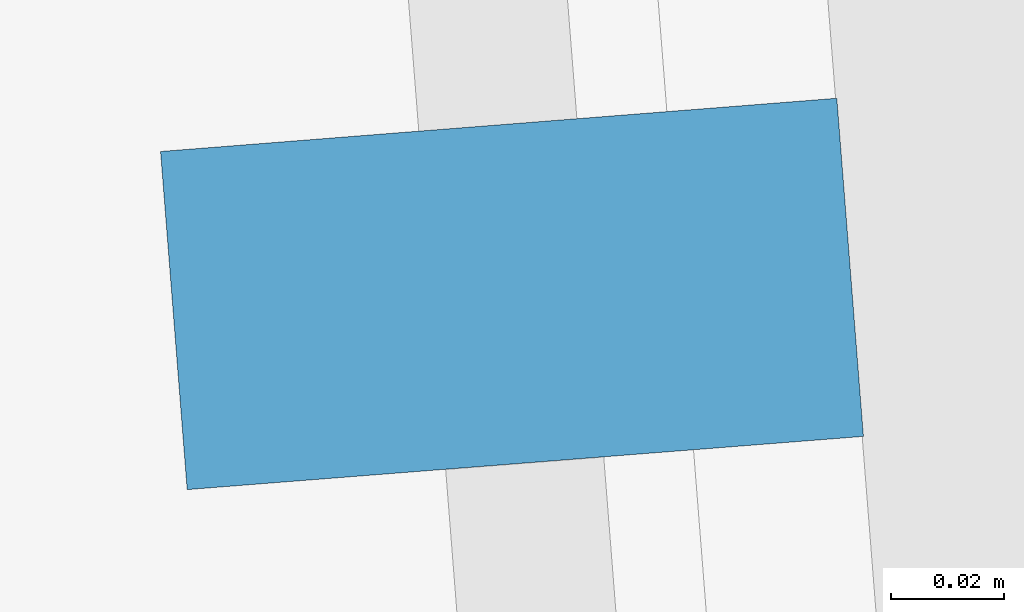
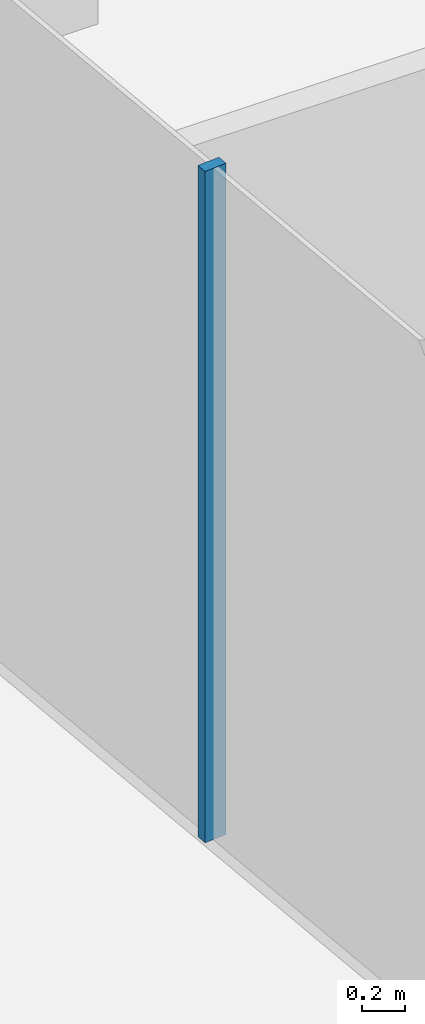
# One storey, part 11 of 23: 1 member, 1 element without a shape of its own.
"""IFC4 building model written with IfcOpenShell, lengths in metres."""

from ifc_helpers import new_model, si_unit, direction, frame, origin, origin_2d, place, context, subcontext, project, spatial, rectangle, extrude, material, layer, layer_set, material_profile, profile_set, type_object, element, aggregate, save


model = new_model("IFC4")

# Units and contexts
model_context = context("Model", 3, precision=1e-05, world=origin(), true_north=direction((0.0, 1.0)))
body_context = subcontext(model_context, "Body", "Model", "MODEL_VIEW")
ifc_project = project(units=[si_unit("LENGTHUNIT", "METRE"), si_unit("AREAUNIT", "SQUARE_METRE"), si_unit("VOLUMEUNIT", "CUBIC_METRE"), si_unit("PLANEANGLEUNIT", "RADIAN"), si_unit("MASSUNIT", "GRAM", prefix="KILO")], contexts=[model_context])

# Site, building, storey
site_placement = place(None, origin())
site = spatial("IfcSite", under=ifc_project, at=site_placement, CompositionType="ELEMENT")
building_placement = place(site_placement, origin())
building = spatial("IfcBuilding", under=site, at=building_placement, Name="Welwitschia Terrace Campus", CompositionType="ELEMENT")
storey_placement = place(building_placement, frame((0.0, 0.0, 188.60009765625)))
storey = spatial("IfcBuildingStorey", under=building, at=storey_placement, Name="L42", CompositionType="ELEMENT", Elevation=188.60009765625)

# Curtain wall, member
ifc_material_1 = material(Name="Bronze anodised aluminium", Category="aluminium")
ifc_layer = layer(ifc_material_1, 0.1201171875)
ifc_layer_set = layer_set([ifc_layer], Name="Bronze anodised aluminium")
curtain_wall_type = type_object("IfcCurtainWallType", Name="Curtain wall CW2 tower 6000", PredefinedType="NOTDEFINED", material=ifc_layer_set)
curtain_wall_placement = place(storey_placement, origin())
curtain_wall = element("IfcCurtainWall", 1, at=curtain_wall_placement, inside=storey, type_object=curtain_wall_type, Name="CW L42.0.0", PredefinedType="NOTDEFINED")
ifc_material_2 = material(Name="Bronze anodised aluminium", Category="aluminium")
ifc_material_profile = material_profile(ifc_material_2, rectangle(XDim=0.1201171875, YDim=0.06005859375, at=origin_2d()))
ifc_profile_set = profile_set([ifc_material_profile], Name="Bronze anodised aluminium")
member_type = type_object("IfcMemberType", Name="Mullion 60x120", PredefinedType="MULLION", material=ifc_profile_set)
member_placement = place(storey_placement, frame((-2.435302734375, 43.55029296875, 0.0), z_axis=(0.0, 0.0, 1.0), x_axis=(0.996917333733, 0.078459095728, 0.0)))
member = element("IfcMember", 2, at=member_placement, type_object=member_type, Name="Mullion L42.0.0.3", PredefinedType="MULLION", context=body_context, shape_type="SweptSolid", body=[
    extrude(rectangle(XDim=0.1201171875, YDim=0.06005859375, at=origin_2d()), origin(), (0.0, 0.0, 1.0), 3.849853515625),
])
aggregate(curtain_wall, [member])

save(model, "model.ifc")
